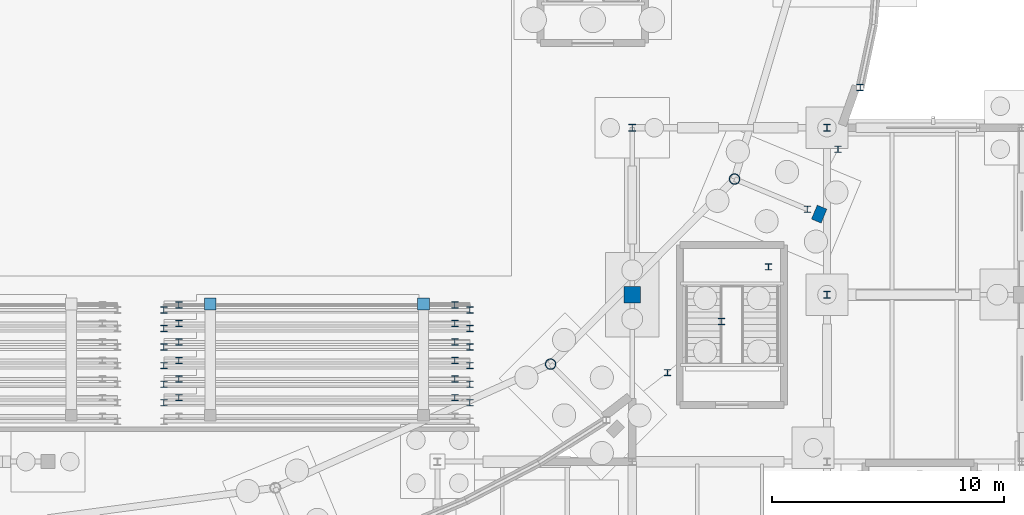
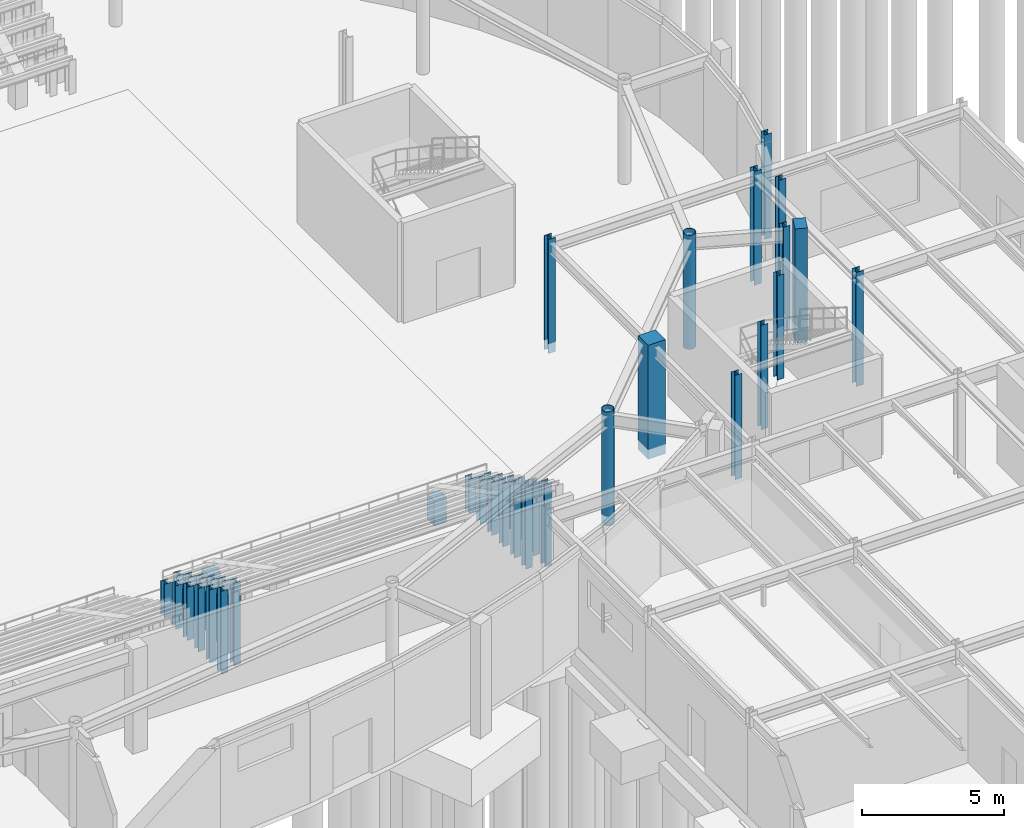
# One storey, part 17 of 93: 39 columns.
"""IFC4 building model written with IfcOpenShell, lengths in metres."""

from ifc_helpers import new_model, si_unit, derived_unit, direction, frame, origin, origin_2d, place, context, subcontext, project, spatial, rectangle, hollow_circle, i_section, extrude, material, material_profile, profile_set, type_object, element, save


model = new_model("IFC4")

# Units and contexts
model_context = context("Model", 3, precision=1e-05, world=origin(), true_north=direction((0.0, 1.0)))
body_context = subcontext(model_context, "Body", "Model", "MODEL_VIEW")
ifc_project = project(units=[si_unit("LENGTHUNIT", "METRE"), si_unit("AREAUNIT", "SQUARE_METRE"), si_unit("VOLUMEUNIT", "CUBIC_METRE"), si_unit("PLANEANGLEUNIT", "RADIAN"), si_unit("MASSUNIT", "GRAM", prefix="KILO"), derived_unit("THERMALTRANSMITTANCEUNIT", [(si_unit("MASSUNIT", "GRAM", prefix="KILO"), 1), (si_unit("TIMEUNIT", "SECOND"), -3), (si_unit("THERMODYNAMICTEMPERATUREUNIT", "KELVIN"), -1)])], contexts=[model_context])

# Site, building, storey
site_placement = place(None, origin())
site = spatial("IfcSite", under=ifc_project, at=site_placement, CompositionType="ELEMENT")
building_placement = place(site_placement, origin())
building = spatial("IfcBuilding", under=site, at=building_placement, Name="Kharveza Railside Sports Centre", CompositionType="ELEMENT")
storey_placement = place(building_placement, origin())
storey = spatial("IfcBuildingStorey", under=building, at=storey_placement, Name="L00", CompositionType="ELEMENT", Elevation=0.0)

# Columns
ifc_material_1 = material(Name="Concrete C35/45", Category="concrete")
ifc_material_profile_1 = material_profile(ifc_material_1, rectangle(XDim=0.699951171875, YDim=0.699951171875, at=origin_2d()), Name="RC 700x700")
ifc_profile_set_1 = profile_set([ifc_material_profile_1], Name="Concrete C35/45")
column_type_1 = type_object("IfcColumnType", Name="COL-RC01", PredefinedType="COLUMN", material=ifc_profile_set_1)
column_1_placement = place(storey_placement, frame((84.0, 36.0, -0.419921875), z_axis=(0.0, 0.0, 1.0), x_axis=(1.0, 0.0, 0.0)))
element("IfcColumn", 1, at=column_1_placement, inside=storey, type_object=column_type_1, Name="COL-G-C19-X840-Y360-L00", PredefinedType="COLUMN", context=body_context, shape_type="SweptSolid", body=[
    extrude(rectangle(XDim=0.699951171875, YDim=0.699951171875, at=origin_2d()), origin(), (0.0, 0.0, 1.0), 4.919921875),
])
ifc_material_profile_2 = material_profile(ifc_material_1, rectangle(XDim=0.5, YDim=0.5, at=origin_2d()), Name="RC 500x500")
ifc_profile_set_2 = profile_set([ifc_material_profile_2], Name="Concrete C35/45")
column_type_2 = type_object("IfcColumnType", Name="COL-RC03", PredefinedType="COLUMN", material=ifc_profile_set_2)
for number, where, z_axis, x_axis, name in (
    (2, (65.800048828125, 35.60009765625, 0.0), (0.0, 0.0, 1.0), (1.0, 0.0, 0.0), "COL-RAK-SF-05"),
    (3, (75.0, 35.60009765625, 0.0), (0.0, 0.0, 1.0), (1.0, 0.0, 0.0), "COL-RAK-SF-06"),
):
    element("IfcColumn", number, at=place(storey_placement, frame(where, z_axis=z_axis, x_axis=x_axis)), inside=storey, type_object=column_type_2, Name=name, PredefinedType="COLUMN", context=body_context, shape_type="SweptSolid", body=[
        extrude(rectangle(XDim=0.5, YDim=0.5, at=origin_2d()), origin(), (0.0, 0.0, 1.0), 1.090087890625),
    ])
ifc_material_profile_3 = material_profile(ifc_material_1, rectangle(XDim=0.449951171875, YDim=0.64990234375, at=origin_2d()), Name="RC 450x650")
ifc_profile_set_3 = profile_set([ifc_material_profile_3], Name="Concrete C35/45")
column_type_3 = type_object("IfcColumnType", Name="COL-RC04", PredefinedType="PILASTER", material=ifc_profile_set_3)
column_2_placement = place(storey_placement, frame((92.063232421875, 39.474365234375, -0.419921875), z_axis=(0.0, 0.0, 1.0), x_axis=(0.923879532511, -0.382683432365, 0.0)))
element("IfcColumn", 4, at=column_2_placement, inside=storey, type_object=column_type_3, Name="COL-BUTT-16-L00", PredefinedType="PILASTER", context=body_context, shape_type="SweptSolid", body=[
    extrude(rectangle(XDim=0.449951171875, YDim=0.64990234375, at=origin_2d()), origin(), (0.0, 0.0, 1.0), 4.919921875),
])
ifc_material_2 = material(Name="Steel S355J2", Category="steel")
ifc_material_profile_4 = material_profile(ifc_material_2, i_section(OverallWidth=0.300048828125, OverallDepth=0.300048828125, WebThickness=0.010986328125, FlangeThickness=0.01904296875, FilletRadius=0.027099609375, at=origin_2d()), Name="HEB 300")
ifc_profile_set_4 = profile_set([ifc_material_profile_4], Name="Steel S355J2")
column_type_4 = type_object("IfcColumnType", Name="COL-S07", PredefinedType="COLUMN", material=ifc_profile_set_4)
for number, where, z_axis, x_axis, name in (
    (5, (84.0, 43.199951171875, -0.419921875), (0.0, 0.0, 1.0), (1.0, 0.0, 0.0), "COL-G-C07-X840-Y432-L00"),
    (6, (92.39990234375, 36.0, -0.419921875), (0.0, 0.0, 1.0), (1.0, 0.0, 0.0), "COL-G-C07-X924-Y360-L00"),
    (7, (92.39990234375, 43.199951171875, -0.419921875), (0.0, 0.0, 1.0), (1.0, 0.0, 0.0), "COL-G-C07-X924-Y432-L00"),
):
    element("IfcColumn", number, at=place(storey_placement, frame(where, z_axis=z_axis, x_axis=x_axis)), inside=storey, type_object=column_type_4, Name=name, PredefinedType="COLUMN", context=body_context, shape_type="SweptSolid", body=[
        extrude(i_section(OverallWidth=0.300048828125, OverallDepth=0.300048828125, WebThickness=0.010986328125, FlangeThickness=0.01904296875, FilletRadius=0.027099609375, at=origin_2d()), origin(), (0.0, 0.0, 1.0), 4.919921875),
    ])
ifc_material_profile_5 = material_profile(ifc_material_2, i_section(OverallWidth=0.280029296875, OverallDepth=0.27001953125, WebThickness=0.008056640625, FlangeThickness=0.012939453125, FilletRadius=0.02392578125, at=origin_2d()), Name="HEA 280")
ifc_profile_set_5 = profile_set([ifc_material_profile_5], Name="Steel S355J2")
column_type_5 = type_object("IfcColumnType", Name="COL-S13", PredefinedType="COLUMN", material=ifc_profile_set_5)
for number, where, z_axis, x_axis, name in (
    (8, (63.800048828125, 31.340087890625, 0.0), (0.0, 0.0, 1.0), (1.0, 0.0, 0.0), "COL-TPST-S02-S3-11"),
    (9, (77.0, 31.340087890625, 0.0), (0.0, 0.0, 1.0), (1.0, 0.0, 0.0), "COL-TPST-S02-S3-12"),
    (10, (64.449951171875, 31.56005859375, 0.0), (0.0, 0.0, 1.0), (1.0, 0.0, 0.0), "COL-TPST-S02-S3-21"),
    (11, (76.35009765625, 31.56005859375, 0.0), (0.0, 0.0, 1.0), (1.0, 0.0, 0.0), "COL-TPST-S02-S3-22"),
):
    element("IfcColumn", number, at=place(storey_placement, frame(where, z_axis=z_axis, x_axis=x_axis)), inside=storey, type_object=column_type_5, Name=name, PredefinedType="COLUMN", context=body_context, shape_type="SweptSolid", body=[
        extrude(i_section(OverallWidth=0.280029296875, OverallDepth=0.27001953125, WebThickness=0.008056640625, FlangeThickness=0.012939453125, FilletRadius=0.02392578125, at=origin_2d()), origin(), (0.0, 0.0, 1.0), 3.570068359375),
    ])
for number, where, z_axis, x_axis, name in (
    (12, (63.800048828125, 32.139892578125, 0.0), (0.0, 0.0, 1.0), (1.0, 0.0, 0.0), "COL-TPST-S03-S3-11"),
    (13, (77.0, 32.139892578125, 0.0), (0.0, 0.0, 1.0), (1.0, 0.0, 0.0), "COL-TPST-S03-S3-12"),
    (14, (64.449951171875, 32.360107421875, 0.0), (0.0, 0.0, 1.0), (1.0, 0.0, 0.0), "COL-TPST-S03-S3-21"),
    (15, (76.35009765625, 32.360107421875, 0.0), (0.0, 0.0, 1.0), (1.0, 0.0, 0.0), "COL-TPST-S03-S3-22"),
):
    element("IfcColumn", number, at=place(storey_placement, frame(where, z_axis=z_axis, x_axis=x_axis)), inside=storey, type_object=column_type_5, Name=name, PredefinedType="COLUMN", context=body_context, shape_type="SweptSolid", body=[
        extrude(i_section(OverallWidth=0.280029296875, OverallDepth=0.27001953125, WebThickness=0.008056640625, FlangeThickness=0.012939453125, FilletRadius=0.02392578125, at=origin_2d()), origin(), (0.0, 0.0, 1.0), 3.14990234375),
    ])
for number, where, z_axis, x_axis, name in (
    (16, (63.800048828125, 32.93994140625, 0.0), (0.0, 0.0, 1.0), (1.0, 0.0, 0.0), "COL-TPST-S04-S3-11"),
    (17, (77.0, 32.93994140625, 0.0), (0.0, 0.0, 1.0), (1.0, 0.0, 0.0), "COL-TPST-S04-S3-12"),
    (18, (64.449951171875, 33.159912109375, 0.0), (0.0, 0.0, 1.0), (1.0, 0.0, 0.0), "COL-TPST-S04-S3-21"),
    (19, (76.35009765625, 33.159912109375, 0.0), (0.0, 0.0, 1.0), (1.0, 0.0, 0.0), "COL-TPST-S04-S3-22"),
):
    element("IfcColumn", number, at=place(storey_placement, frame(where, z_axis=z_axis, x_axis=x_axis)), inside=storey, type_object=column_type_5, Name=name, PredefinedType="COLUMN", context=body_context, shape_type="SweptSolid", body=[
        extrude(i_section(OverallWidth=0.280029296875, OverallDepth=0.27001953125, WebThickness=0.008056640625, FlangeThickness=0.012939453125, FilletRadius=0.02392578125, at=origin_2d()), origin(), (0.0, 0.0, 1.0), 2.72998046875),
    ])
for number, where, z_axis, x_axis, name in (
    (20, (63.800048828125, 33.739990234375, 0.0), (0.0, 0.0, 1.0), (1.0, 0.0, 0.0), "COL-TPST-S05-S3-11"),
    (21, (77.0, 33.739990234375, 0.0), (0.0, 0.0, 1.0), (1.0, 0.0, 0.0), "COL-TPST-S05-S3-12"),
    (22, (64.449951171875, 33.9599609375, 0.0), (0.0, 0.0, 1.0), (1.0, 0.0, 0.0), "COL-TPST-S05-S3-21"),
    (23, (76.35009765625, 33.9599609375, 0.0), (0.0, 0.0, 1.0), (1.0, 0.0, 0.0), "COL-TPST-S05-S3-22"),
):
    element("IfcColumn", number, at=place(storey_placement, frame(where, z_axis=z_axis, x_axis=x_axis)), inside=storey, type_object=column_type_5, Name=name, PredefinedType="COLUMN", context=body_context, shape_type="SweptSolid", body=[
        extrude(i_section(OverallWidth=0.280029296875, OverallDepth=0.27001953125, WebThickness=0.008056640625, FlangeThickness=0.012939453125, FilletRadius=0.02392578125, at=origin_2d()), origin(), (0.0, 0.0, 1.0), 2.2919921875),
    ])
for number, where, z_axis, x_axis, name in (
    (24, (63.800048828125, 34.5400390625, 0.0), (0.0, 0.0, 1.0), (1.0, 0.0, 0.0), "COL-TPST-S06-S3-11"),
    (25, (77.0, 34.5400390625, 0.0), (0.0, 0.0, 1.0), (1.0, 0.0, 0.0), "COL-TPST-S06-S3-12"),
    (26, (64.449951171875, 34.760009765625, 0.0), (0.0, 0.0, 1.0), (1.0, 0.0, 0.0), "COL-TPST-S06-S3-21"),
    (27, (76.35009765625, 34.760009765625, 0.0), (0.0, 0.0, 1.0), (1.0, 0.0, 0.0), "COL-TPST-S06-S3-22"),
):
    element("IfcColumn", number, at=place(storey_placement, frame(where, z_axis=z_axis, x_axis=x_axis)), inside=storey, type_object=column_type_5, Name=name, PredefinedType="COLUMN", context=body_context, shape_type="SweptSolid", body=[
        extrude(i_section(OverallWidth=0.280029296875, OverallDepth=0.27001953125, WebThickness=0.008056640625, FlangeThickness=0.012939453125, FilletRadius=0.02392578125, at=origin_2d()), origin(), (0.0, 0.0, 1.0), 1.8720703125),
    ])
for number, where, z_axis, x_axis, name in (
    (28, (63.800048828125, 35.340087890625, 0.0), (0.0, 0.0, 1.0), (1.0, 0.0, 0.0), "COL-TPST-S07-S3-11"),
    (29, (77.0, 35.340087890625, 0.0), (0.0, 0.0, 1.0), (1.0, 0.0, 0.0), "COL-TPST-S07-S3-12"),
    (30, (64.449951171875, 35.56005859375, 0.0), (0.0, 0.0, 1.0), (1.0, 0.0, 0.0), "COL-TPST-S07-S3-21"),
    (31, (76.35009765625, 35.56005859375, 0.0), (0.0, 0.0, 1.0), (1.0, 0.0, 0.0), "COL-TPST-S07-S3-22"),
):
    element("IfcColumn", number, at=place(storey_placement, frame(where, z_axis=z_axis, x_axis=x_axis)), inside=storey, type_object=column_type_5, Name=name, PredefinedType="COLUMN", context=body_context, shape_type="SweptSolid", body=[
        extrude(i_section(OverallWidth=0.280029296875, OverallDepth=0.27001953125, WebThickness=0.008056640625, FlangeThickness=0.012939453125, FilletRadius=0.02392578125, at=origin_2d()), origin(), (0.0, 0.0, 1.0), 1.451904296875),
    ])
for number, where, z_axis, x_axis, name in (
    (32, (85.5205078125, 32.636962890625, 0.0), (0.0, 0.0, 1.0), (1.0, 0.0, 0.0), "COL-DSILL-L00-85p52-32p64"),
    (33, (87.85888671875, 34.843994140625, 0.0), (0.0, 0.0, 1.0), (1.0, 0.0, 0.0), "COL-DSILL-L00-87p86-34p84"),
    (34, (89.876953125, 37.200927734375, 0.0), (0.0, 0.0, 1.0), (1.0, 0.0, 0.0), "COL-DSILL-L00-89p88-37p2"),
    (35, (91.55517578125, 39.684814453125, 0.0), (0.0, 0.0, 1.0), (1.0, 0.0, 0.0), "COL-DSILL-L00-91p56-39p68"),
    (36, (92.877685546875, 42.27197265625, 0.0), (0.0, 0.0, 1.0), (1.0, 0.0, 0.0), "COL-DSILL-L00-92p88-42p27"),
    (37, (93.831298828125, 44.9375, 0.0), (0.0, 0.0, 1.0), (1.0, 0.0, 0.0), "COL-DSILL-L00-93p83-44p94"),
):
    element("IfcColumn", number, at=place(storey_placement, frame(where, z_axis=z_axis, x_axis=x_axis)), inside=storey, type_object=column_type_5, Name=name, PredefinedType="COLUMN", context=body_context, shape_type="SweptSolid", body=[
        extrude(i_section(OverallWidth=0.280029296875, OverallDepth=0.27001953125, WebThickness=0.008056640625, FlangeThickness=0.012939453125, FilletRadius=0.02392578125, at=origin_2d()), origin(), (0.0, 0.0, 1.0), 4.5),
    ])
ifc_material_profile_6 = material_profile(ifc_material_2, hollow_circle(Radius=0.228515625, WallThickness=0.02001953125, at=origin_2d()), Name="CHS 457.0x20.0")
ifc_profile_set_6 = profile_set([ifc_material_profile_6], Name="Steel S355J2")
column_type_6 = type_object("IfcColumnType", Name="COL-T01", PredefinedType="COLUMN", material=ifc_profile_set_6)
for number, where, z_axis, x_axis, name in (
    (38, (80.47998046875, 33.005126953125, -0.419921875), (0.0, 0.0, 1.0), (1.0, 0.0, 0.0), "COL-DRUM-15-L00"),
    (39, (88.4140625, 40.986083984375, -0.419921875), (0.0, 0.0, 1.0), (1.0, 0.0, 0.0), "COL-DRUM-16-L00"),
):
    element("IfcColumn", number, at=place(storey_placement, frame(where, z_axis=z_axis, x_axis=x_axis)), inside=storey, type_object=column_type_6, Name=name, PredefinedType="COLUMN", context=body_context, shape_type="SweptSolid", body=[
        extrude(hollow_circle(Radius=0.228515625, WallThickness=0.02001953125, at=origin_2d()), origin(), (0.0, 0.0, 1.0), 4.919921875),
    ])

save(model, "model.ifc")
